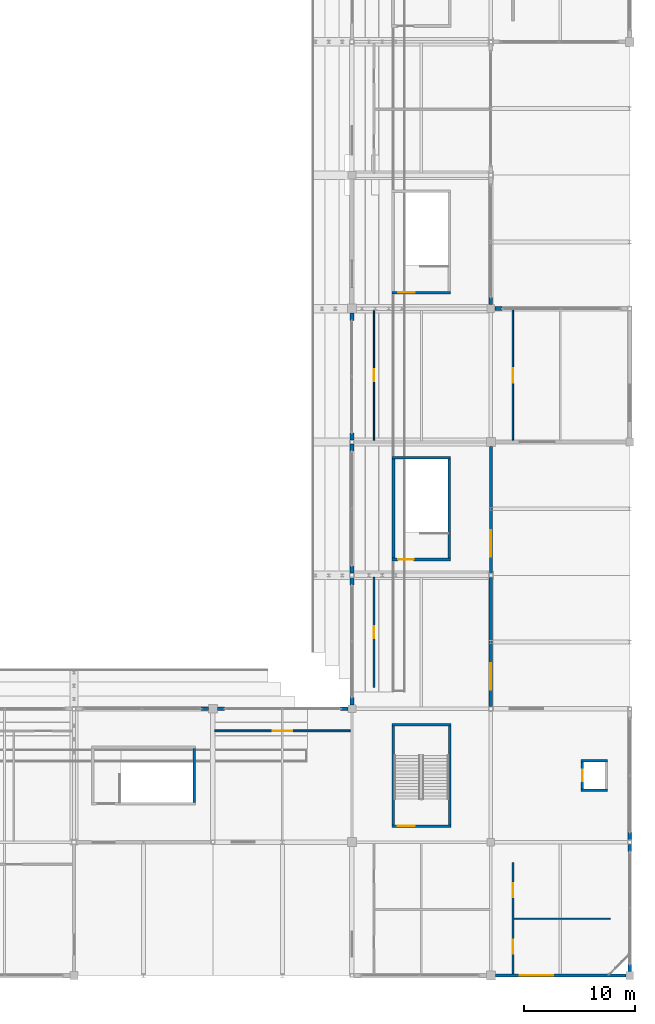
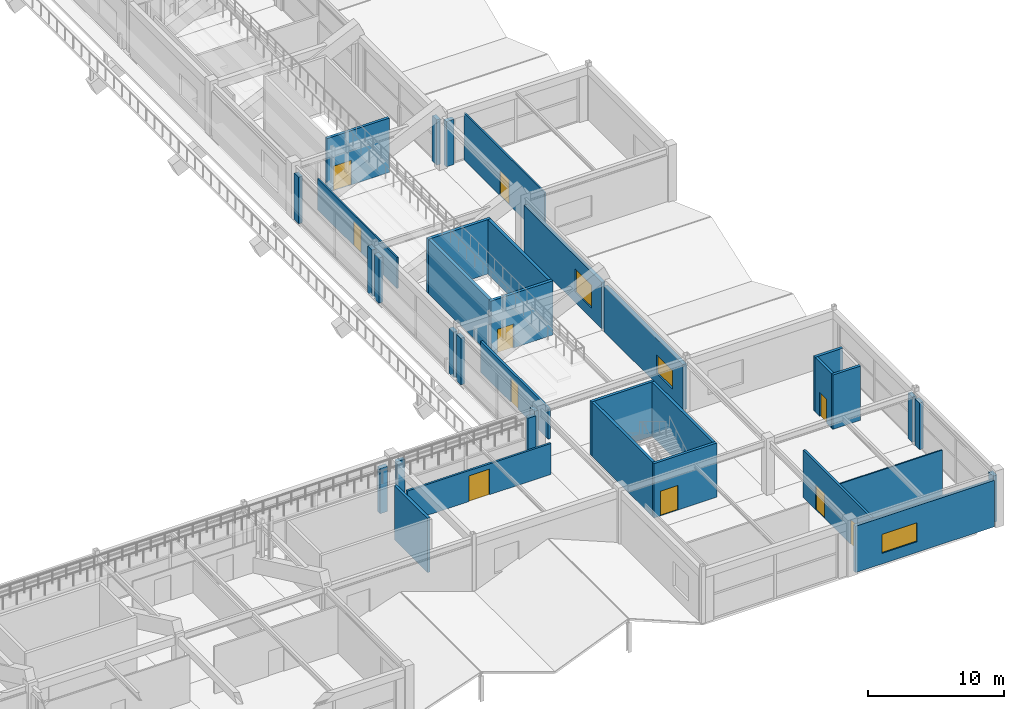
# One storey, part 92 of 128: 36 walls, 10 doors, 3 windows, 13 openings.
"""IFC4 building model written with IfcOpenShell, lengths in metres."""

from ifc_helpers import new_model, si_unit, direction, frame, frame_2d, origin, place, context, subcontext, project, spatial, rectangle, extrude, material, layer, layer_set, type_object, element, fill, save


model = new_model("IFC4")

# Units and contexts
model_context = context("Model", 3, precision=1e-05, world=origin(), true_north=direction((0.0, 1.0)))
body_context = subcontext(model_context, "Body", "Model", "MODEL_VIEW")
ifc_project = project(units=[si_unit("LENGTHUNIT", "METRE"), si_unit("AREAUNIT", "SQUARE_METRE"), si_unit("VOLUMEUNIT", "CUBIC_METRE"), si_unit("PLANEANGLEUNIT", "RADIAN"), si_unit("MASSUNIT", "GRAM", prefix="KILO")], contexts=[model_context])

# Site, building, storey
site_placement = place(None, origin())
site = spatial("IfcSite", under=ifc_project, at=site_placement, CompositionType="ELEMENT")
building_placement = place(site_placement, origin())
building = spatial("IfcBuilding", under=site, at=building_placement, Name="Kazenohara Klinker Stadium", CompositionType="ELEMENT")
storey_placement = place(building_placement, frame((0.0, 0.0, 15.300048828125)))
storey = spatial("IfcBuildingStorey", under=building, at=storey_placement, Name="L03", CompositionType="ELEMENT", Elevation=15.300048828125)

# Wall, opening, door
ifc_material_1 = material(Name="Concrete C40/50", Category="concrete")
ifc_layer_1 = layer(ifc_material_1, 0.22998046875)
ifc_layer_set_1 = layer_set([ifc_layer_1], Name="Concrete C40/50")
wall_type_1 = type_object("IfcWallType", Name="WAL-CORE-230", PredefinedType="SHEAR", material=ifc_layer_set_1)
wall_1_placement = place(storey_placement, frame((178.590087890625, 25.43505859375, 0.0), z_axis=(0.0, 0.0, 1.0), x_axis=(1.0, 0.0, 0.0)))
wall_1 = element("IfcWall", 1, at=wall_1_placement, inside=storey, type_object=wall_type_1, Name="Stairwell shear wall ST16 L03 South", PredefinedType="SHEAR", context=body_context, shape_type="SweptSolid", body=[
    extrude(rectangle(XDim=5.31982421875, YDim=0.22998046875, at=frame_2d((2.659912109375, 0.0))), origin(), (0.0, 0.0, 1.0), 4.85986328125),
])
opening_1_placement = place(wall_1_placement, frame((0.550048828125, 0.0, 0.0)))
opening_1 = element("IfcOpeningElement", 2, at=opening_1_placement, cuts=wall_1, Name="Opening SD02", PredefinedType="OPENING", context=body_context, shape_type="SweptSolid", body=[
    extrude(rectangle(XDim=1.5, YDim=2.199951171875, at=frame_2d((0.75, 1.10009765625))), frame((0.0, 0.125, 0.0), z_axis=(0.0, -1.0, 0.0), x_axis=(1.0, 0.0, 0.0)), (0.0, 0.0, 1.0), 0.25),
])
ifc_material_2 = material(Name="Flush painted steel fire door leaf", Category="steel")
door_type_1 = type_object("IfcDoorType", Name="DR-STR-1500x2200", OperationType="NOTDEFINED", PredefinedType="DOOR", material=ifc_material_2)
door_1_placement = place(opening_1_placement, origin())
door_1 = element("IfcDoor", 3, at=door_1_placement, inside=storey, type_object=door_type_1, Name="Escape stairwell fire door ST16-L03", OperationType="SINGLE_SWING_RIGHT", OverallHeight=2.199951171875, OverallWidth=1.5, PredefinedType="DOOR", context=body_context, shape_type="SweptSolid", body=[
    extrude(rectangle(XDim=1.5, YDim=2.199951171875, at=frame_2d((0.75, 1.10009765625))), frame((0.0, 0.02490234375, 0.0), z_axis=(0.0, -1.0, 0.0), x_axis=(1.0, 0.0, 0.0)), (0.0, 0.0, 1.0), 0.050048828125),
])
fill(opening_1, door_1)

# Walls
wall_2_placement = place(storey_placement, frame((178.590087890625, 34.56494140625, 0.0), z_axis=(0.0, 0.0, 1.0), x_axis=(1.0, 0.0, 0.0)))
element("IfcWall", 4, at=wall_2_placement, inside=storey, type_object=wall_type_1, Name="Stairwell shear wall ST16 L03 North", PredefinedType="SHEAR", context=body_context, shape_type="SweptSolid", body=[
    extrude(rectangle(XDim=5.31982421875, YDim=0.22998046875, at=frame_2d((2.659912109375, 0.0))), origin(), (0.0, 0.0, 1.0), 4.85986328125),
])
for number, where, z_axis, x_axis, name in (
    (5, (178.705078125, 25.550048828125, 0.0), (0.0, 0.0, 1.0), (0.0, 1.0, 0.0), "Stairwell shear wall ST16 L03 West"),
    (6, (183.794921875, 25.550048828125, 0.0), (0.0, 0.0, 1.0), (0.0, 1.0, 0.0), "Stairwell shear wall ST16 L03 East"),
):
    element("IfcWall", number, at=place(storey_placement, frame(where, z_axis=z_axis, x_axis=x_axis)), inside=storey, type_object=wall_type_1, Name=name, PredefinedType="SHEAR", context=body_context, shape_type="SweptSolid", body=[
        extrude(rectangle(XDim=8.89990234375, YDim=0.22998046875, at=frame_2d((4.449951171875, 0.0))), origin(), (0.0, 0.0, 1.0), 4.85986328125),
    ])

# Wall, opening, door
wall_3_placement = place(storey_placement, frame((178.6201171875, 73.43505859375, 0.0), z_axis=(0.0, 0.0, 1.0), x_axis=(1.0, 0.0, 0.0)))
wall_3 = element("IfcWall", 7, at=wall_3_placement, inside=storey, type_object=wall_type_1, Name="Stairwell shear wall ST22 L03 South", PredefinedType="SHEAR", context=body_context, shape_type="SweptSolid", body=[
    extrude(rectangle(XDim=5.259765625, YDim=0.22998046875, at=frame_2d((2.6298828125, 0.0))), origin(), (0.0, 0.0, 1.0), 4.85986328125),
])
opening_2_placement = place(wall_3_placement, frame((0.550048828125, 0.0, 0.0)))
opening_2 = element("IfcOpeningElement", 8, at=opening_2_placement, cuts=wall_3, Name="Opening SD02", PredefinedType="OPENING", context=body_context, shape_type="SweptSolid", body=[
    extrude(rectangle(XDim=1.5, YDim=2.199951171875, at=frame_2d((0.75, 1.10009765625))), frame((0.0, 0.125, 0.0), z_axis=(0.0, -1.0, 0.0), x_axis=(1.0, 0.0, 0.0)), (0.0, 0.0, 1.0), 0.25),
])
door_2_placement = place(opening_2_placement, origin())
door_2 = element("IfcDoor", 9, at=door_2_placement, inside=storey, type_object=door_type_1, Name="Escape stairwell fire door ST22-L03", OperationType="SINGLE_SWING_RIGHT", OverallHeight=2.199951171875, OverallWidth=1.5, PredefinedType="DOOR", context=body_context, shape_type="SweptSolid", body=[
    extrude(rectangle(XDim=1.5, YDim=2.199951171875, at=frame_2d((0.75, 1.10009765625))), frame((0.0, 0.02490234375, 0.0), z_axis=(0.0, -1.0, 0.0), x_axis=(1.0, 0.0, 0.0)), (0.0, 0.0, 1.0), 0.050048828125),
])
fill(opening_2, door_2)

# Walls
wall_4_placement = place(storey_placement, frame((160.81494140625, 27.570068359375, 0.0), z_axis=(0.0, 0.0, 1.0), x_axis=(0.0, 1.0, 0.0)))
element("IfcWall", 10, at=wall_4_placement, inside=storey, type_object=wall_type_1, Name="Stairwell shear wall ST28 L03 East", PredefinedType="SHEAR", context=body_context, shape_type="SweptSolid", body=[
    extrude(rectangle(XDim=4.85986328125, YDim=0.22998046875, at=frame_2d((2.429931640625, 0.0))), origin(), (0.0, 0.0, 1.0), 4.85986328125),
])
for number, where, z_axis, x_axis, name in (
    (11, (195.6201171875, 28.68505859375, 0.0), (0.0, 0.0, 1.0), (1.0, 0.0, 0.0), "Elevator shaft wall LP06 L03 South"),
    (12, (195.6201171875, 31.31494140625, 0.0), (0.0, 0.0, 1.0), (1.0, 0.0, 0.0), "Elevator shaft wall LP06 L03 North"),
):
    element("IfcWall", number, at=place(storey_placement, frame(where, z_axis=z_axis, x_axis=x_axis)), inside=storey, type_object=wall_type_1, Name=name, PredefinedType="SHEAR", context=body_context, shape_type="SweptSolid", body=[
        extrude(rectangle(XDim=2.35986328125, YDim=0.22998046875, at=frame_2d((1.179931640625, 0.0))), origin(), (0.0, 0.0, 1.0), 4.85986328125),
    ])

# Wall, opening, door
wall_5_placement = place(storey_placement, frame((195.735107421875, 28.800048828125, 0.0), z_axis=(0.0, 0.0, 1.0), x_axis=(0.0, 1.0, 0.0)))
wall_5 = element("IfcWall", 13, at=wall_5_placement, inside=storey, type_object=wall_type_1, Name="Elevator shaft wall LP06 L03 West", PredefinedType="SHEAR", context=body_context, shape_type="SweptSolid", body=[
    extrude(rectangle(XDim=2.39990234375, YDim=0.22998046875, at=frame_2d((1.199951171875, 0.0))), origin(), (0.0, 0.0, 1.0), 4.85986328125),
])
opening_3_placement = place(wall_5_placement, frame((0.699951171875, 0.0, 0.0)))
opening_3 = element("IfcOpeningElement", 14, at=opening_3_placement, cuts=wall_5, Name="Opening LD02", PredefinedType="OPENING", context=body_context, shape_type="SweptSolid", body=[
    extrude(rectangle(XDim=1.0, YDim=2.14990234375, at=frame_2d((0.5, 1.074951171875))), frame((0.0, 0.125, 0.0), z_axis=(0.0, -1.0, 0.0), x_axis=(1.0, 0.0, 0.0)), (0.0, 0.0, 1.0), 0.25),
])
ifc_material_3 = material(Name="Stainless steel sliding landing door", Category="steel")
door_type_2 = type_object("IfcDoorType", Name="DR-LD02-1000x2150", OperationType="NOTDEFINED", PredefinedType="DOOR", material=ifc_material_3)
door_3_placement = place(opening_3_placement, origin())
door_3 = element("IfcDoor", 15, at=door_3_placement, inside=storey, type_object=door_type_2, Name="Elevator sliding landing door LP06-L03", OperationType="DOUBLE_DOOR_SLIDING", OverallHeight=2.14990234375, OverallWidth=1.0, PredefinedType="DOOR", context=body_context, shape_type="SweptSolid", body=[
    extrude(rectangle(XDim=1.0, YDim=2.14990234375, at=frame_2d((0.5, 1.074951171875))), frame((0.0, 0.02490234375, 0.0), z_axis=(0.0, -1.0, 0.0), x_axis=(1.0, 0.0, 0.0)), (0.0, 0.0, 1.0), 0.050048828125),
])
fill(opening_3, door_3)

ifc_layer_2 = layer(ifc_material_1, 0.25)
ifc_layer_set_2 = layer_set([ifc_layer_2], Name="Concrete C40/50")
wall_type_2 = type_object("IfcWallType", Name="WAL-CORE-250", PredefinedType="SHEAR", material=ifc_layer_set_2)
wall_6_placement = place(storey_placement, frame((178.610107421875, 49.425048828125, 0.0), z_axis=(0.0, 0.0, 1.0), x_axis=(1.0, 0.0, 0.0)))
wall_6 = element("IfcWall", 16, at=wall_6_placement, inside=storey, type_object=wall_type_2, Name="Stairwell shear wall ST21 L03 South", PredefinedType="SHEAR", context=body_context, shape_type="SweptSolid", body=[
    extrude(rectangle(XDim=5.27978515625, YDim=0.25, at=frame_2d((2.639892578125, 0.0))), origin(), (0.0, 0.0, 1.0), 4.85986328125),
])
opening_4_placement = place(wall_6_placement, frame((0.550048828125, 0.0, 0.0)))
opening_4 = element("IfcOpeningElement", 17, at=opening_4_placement, cuts=wall_6, Name="Opening SD01", PredefinedType="OPENING", context=body_context, shape_type="SweptSolid", body=[
    extrude(rectangle(XDim=1.39990234375, YDim=2.14990234375, at=frame_2d((0.699951171875, 1.074951171875))), frame((0.0, 0.135009765625, 0.0), z_axis=(0.0, -1.0, 0.0), x_axis=(1.0, 0.0, 0.0)), (0.0, 0.0, 1.0), 0.27001953125),
])
door_type_3 = type_object("IfcDoorType", Name="DR-STR-1400x2150", OperationType="NOTDEFINED", PredefinedType="DOOR", material=ifc_material_2)
door_4_placement = place(opening_4_placement, origin())
door_4 = element("IfcDoor", 18, at=door_4_placement, inside=storey, type_object=door_type_3, Name="Escape stairwell fire door ST21-L03", OperationType="SINGLE_SWING_RIGHT", OverallHeight=2.14990234375, OverallWidth=1.39990234375, PredefinedType="DOOR", context=body_context, shape_type="SweptSolid", body=[
    extrude(rectangle(XDim=1.39990234375, YDim=2.14990234375, at=frame_2d((0.699951171875, 1.074951171875))), frame((0.0, 0.02490234375, 0.0), z_axis=(0.0, -1.0, 0.0), x_axis=(1.0, 0.0, 0.0)), (0.0, 0.0, 1.0), 0.050048828125),
])
fill(opening_4, door_4)

# Walls
wall_7_placement = place(storey_placement, frame((178.610107421875, 58.574951171875, 0.0), z_axis=(0.0, 0.0, 1.0), x_axis=(1.0, 0.0, 0.0)))
element("IfcWall", 19, at=wall_7_placement, inside=storey, type_object=wall_type_2, Name="Stairwell shear wall ST21 L03 North", PredefinedType="SHEAR", context=body_context, shape_type="SweptSolid", body=[
    extrude(rectangle(XDim=5.27978515625, YDim=0.25, at=frame_2d((2.639892578125, 0.0))), origin(), (0.0, 0.0, 1.0), 4.85986328125),
])
for number, where, z_axis, x_axis, name in (
    (20, (178.735107421875, 49.550048828125, 0.0), (0.0, 0.0, 1.0), (0.0, 1.0, 0.0), "Stairwell shear wall ST21 L03 West"),
    (21, (183.764892578125, 49.550048828125, 0.0), (0.0, 0.0, 1.0), (0.0, 1.0, 0.0), "Stairwell shear wall ST21 L03 East"),
):
    element("IfcWall", number, at=place(storey_placement, frame(where, z_axis=z_axis, x_axis=x_axis)), inside=storey, type_object=wall_type_2, Name=name, PredefinedType="SHEAR", context=body_context, shape_type="SweptSolid", body=[
        extrude(rectangle(XDim=8.89990234375, YDim=0.25, at=frame_2d((4.449951171875, 0.0))), origin(), (0.0, 0.0, 1.0), 4.85986328125),
    ])

# Wall, opening, window
ifc_material_4 = material(Name="Clinker brick masonry", Category="masonry")
ifc_layer_3 = layer(ifc_material_4, 0.280029296875)
ifc_layer_set_3 = layer_set([ifc_layer_3], Name="Clinker brick masonry")
wall_type_3 = type_object("IfcWallType", Name="WAL-EXT-CB280", PredefinedType="SOLIDWALL", material=ifc_layer_set_3)
wall_8_placement = place(storey_placement, frame((187.5, 48.178955078125, 0.0), z_axis=(0.0, 0.0, 1.0), x_axis=(0.0, 1.0, 0.0)))
wall_8 = element("IfcWall", 22, at=wall_8_placement, inside=storey, type_object=wall_type_3, Name="Clinker brick cavity wall EW06 L03 Y15-4", PredefinedType="SOLIDWALL", context=body_context, shape_type="SweptSolid", body=[
    extrude(rectangle(XDim=11.4169921875, YDim=0.280029296875, at=frame_2d((5.70849609375, 0.0))), origin(), (0.0, 0.0, 1.0), 4.159912109375),
])
opening_5_placement = place(wall_8_placement, frame((1.5, 0.0, 0.949951171875)))
opening_5 = element("IfcOpeningElement", 23, at=opening_5_placement, cuts=wall_8, Name="Opening W24", PredefinedType="OPENING", context=body_context, shape_type="SweptSolid", body=[
    extrude(rectangle(XDim=2.39990234375, YDim=2.050048828125, at=frame_2d((1.199951171875, 1.02490234375))), frame((0.0, 0.14990234375, 0.0), z_axis=(0.0, -1.0, 0.0), x_axis=(1.0, 0.0, 0.0)), (0.0, 0.0, 1.0), 0.300048828125),
])
ifc_material_5 = material(Name="Dark bronze aluminium frame and triple glazing", Category="aluminium")
window_type_1 = type_object("IfcWindowType", Name="WIN-AS-24", PartitioningType="SINGLE_PANEL", PredefinedType="WINDOW", material=ifc_material_5)
window_1_placement = place(opening_5_placement, origin())
window_1 = element("IfcWindow", 24, at=window_1_placement, inside=storey, type_object=window_type_1, Name="Horizontal-mullion ladder window W24 L03 Y15-4", OverallHeight=2.050048828125, OverallWidth=2.39990234375, PartitioningType="SINGLE_PANEL", PredefinedType="WINDOW", context=body_context, shape_type="SweptSolid", body=[
    extrude(rectangle(XDim=2.39990234375, YDim=2.050048828125, at=frame_2d((1.199951171875, 1.02490234375))), frame((0.0, 0.030029296875, 0.0), z_axis=(0.0, -1.0, 0.0), x_axis=(1.0, 0.0, 0.0)), (0.0, 0.0, 1.0), 0.06005859375),
])
fill(opening_5, window_1)

wall_9_placement = place(storey_placement, frame((187.904052734375, 12.0, 0.0), z_axis=(0.0, 0.0, 1.0), x_axis=(1.0, 0.0, 0.0)))
wall_9 = element("IfcWall", 25, at=wall_9_placement, inside=storey, type_object=wall_type_3, Name="Clinker brick cavity wall EW06 L03 X15-1", PredefinedType="SOLIDWALL", context=body_context, shape_type="SweptSolid", body=[
    extrude(rectangle(XDim=11.741943359375, YDim=0.280029296875, at=frame_2d((5.87109375, 0.0))), origin(), (0.0, 0.0, 1.0), 4.159912109375),
])
opening_6_placement = place(wall_9_placement, frame((2.216064453125, 0.0, 0.949951171875)))
opening_6 = element("IfcOpeningElement", 26, at=opening_6_placement, cuts=wall_9, Name="Opening W30", PredefinedType="OPENING", context=body_context, shape_type="SweptSolid", body=[
    extrude(rectangle(XDim=3.0, YDim=1.699951171875, at=frame_2d((1.5, 0.85009765625))), frame((0.0, 0.14990234375, 0.0), z_axis=(0.0, -1.0, 0.0), x_axis=(1.0, 0.0, 0.0)), (0.0, 0.0, 1.0), 0.300048828125),
])
window_type_2 = type_object("IfcWindowType", Name="WIN-AS-30", PartitioningType="SINGLE_PANEL", PredefinedType="WINDOW", material=ifc_material_5)
window_2_placement = place(opening_6_placement, origin())
window_2 = element("IfcWindow", 27, at=window_2_placement, inside=storey, type_object=window_type_2, Name="Horizontal-mullion ladder window W30 L03 X15-1", OverallHeight=1.699951171875, OverallWidth=3.0, PartitioningType="SINGLE_PANEL", PredefinedType="WINDOW", context=body_context, shape_type="SweptSolid", body=[
    extrude(rectangle(XDim=3.0, YDim=1.699951171875, at=frame_2d((1.5, 0.85009765625))), frame((0.0, 0.030029296875, 0.0), z_axis=(0.0, -1.0, 0.0), x_axis=(1.0, 0.0, 0.0)), (0.0, 0.0, 1.0), 0.06005859375),
])
fill(opening_6, window_2)

# Walls
ifc_layer_4 = layer(ifc_material_4, 0.340087890625)
ifc_layer_set_4 = layer_set([ifc_layer_4], Name="Clinker brick masonry")
wall_type_4 = type_object("IfcWallType", Name="WAL-EXT-CB340", PredefinedType="SOLIDWALL", material=ifc_layer_set_4)
wall_10_placement = place(storey_placement, frame((161.446044921875, 36.0, 0.0), z_axis=(0.0, 0.0, 1.0), x_axis=(1.0, 0.0, 0.0)))
element("IfcWall", 28, at=wall_10_placement, inside=storey, type_object=wall_type_4, Name="Clinker brick curtain-wall jamb pier L03 X12-3 B", PredefinedType="SOLIDWALL", context=body_context, shape_type="SweptSolid", body=[
    extrude(rectangle(XDim=0.64990234375, YDim=0.340087890625, at=frame_2d((0.324951171875, 0.0))), origin(), (0.0, 0.0, 1.0), 4.06005859375),
])
for number, where, z_axis, x_axis, name in (
    (29, (162.904052734375, 36.0, 0.0), (0.0, 0.0, 1.0), (1.0, 0.0, 0.0), "Clinker brick curtain-wall jamb pier L03 X13-3 A"),
    (30, (173.99609375, 36.0, 0.0), (0.0, 0.0, 1.0), (1.0, 0.0, 0.0), "Clinker brick curtain-wall jamb pier L03 X13-3 B"),
):
    element("IfcWall", number, at=place(storey_placement, frame(where, z_axis=z_axis, x_axis=x_axis)), inside=storey, type_object=wall_type_4, Name=name, PredefinedType="SOLIDWALL", context=body_context, shape_type="SweptSolid", body=[
        extrude(rectangle(XDim=0.64990234375, YDim=0.340087890625, at=frame_2d((0.324951171875, 0.0))), origin(), (0.0, 0.0, 1.0), 4.159912109375),
    ])
for number, where, z_axis, x_axis, name in (
    (31, (175.0, 36.35400390625, 0.0), (0.0, 0.0, 1.0), (0.0, 1.0, 0.0), "Clinker brick curtain-wall jamb pier L03 Y14-3 A"),
    (32, (175.0, 47.14599609375, 0.0), (0.0, 0.0, 1.0), (0.0, 1.0, 0.0), "Clinker brick curtain-wall jamb pier L03 Y14-3 B"),
):
    element("IfcWall", number, at=place(storey_placement, frame(where, z_axis=z_axis, x_axis=x_axis)), inside=storey, type_object=wall_type_4, Name=name, PredefinedType="SOLIDWALL", context=body_context, shape_type="SweptSolid", body=[
        extrude(rectangle(XDim=0.64990234375, YDim=0.340087890625, at=frame_2d((0.324951171875, 0.0))), origin(), (0.0, 0.0, 1.0), 4.171875),
    ])

# Wall, opening, window
wall_11_placement = place(storey_placement, frame((187.5, 36.2041015625, 0.0), z_axis=(0.0, 0.0, 1.0), x_axis=(0.0, 1.0, 0.0)))
wall_11 = element("IfcWall", 33, at=wall_11_placement, inside=storey, type_object=wall_type_4, Name="Clinker brick cavity wall EW04 L03 Y15-3", PredefinedType="SOLIDWALL", context=body_context, shape_type="SweptSolid", body=[
    extrude(rectangle(XDim=11.616943359375, YDim=0.340087890625, at=frame_2d((5.80859375, 0.0))), origin(), (0.0, 0.0, 1.0), 4.06005859375),
])
opening_7_placement = place(wall_11_placement, frame((1.5, 0.0, 0.949951171875)))
opening_7 = element("IfcOpeningElement", 34, at=opening_7_placement, cuts=wall_11, Name="Opening W23", PredefinedType="OPENING", context=body_context, shape_type="SweptSolid", body=[
    extrude(rectangle(XDim=2.39990234375, YDim=1.64990234375, at=frame_2d((1.199951171875, 0.824951171875))), frame((0.0, 0.18017578125, 0.0), z_axis=(0.0, -1.0, 0.0), x_axis=(1.0, 0.0, 0.0)), (0.0, 0.0, 1.0), 0.360107421875),
])
window_type_3 = type_object("IfcWindowType", Name="WIN-AS-23", PartitioningType="SINGLE_PANEL", PredefinedType="WINDOW", material=ifc_material_5)
window_3_placement = place(opening_7_placement, origin())
window_3 = element("IfcWindow", 35, at=window_3_placement, inside=storey, type_object=window_type_3, Name="Horizontal-mullion ladder window W23 L03 Y15-3", OverallHeight=1.64990234375, OverallWidth=2.39990234375, PartitioningType="SINGLE_PANEL", PredefinedType="WINDOW", context=body_context, shape_type="SweptSolid", body=[
    extrude(rectangle(XDim=2.39990234375, YDim=1.64990234375, at=frame_2d((1.199951171875, 0.824951171875))), frame((0.0, 0.030029296875, 0.0), z_axis=(0.0, -1.0, 0.0), x_axis=(1.0, 0.0, 0.0)), (0.0, 0.0, 1.0), 0.06005859375),
])
fill(opening_7, window_3)

# Walls
wall_12_placement = place(storey_placement, frame((175.0, 48.2041015625, 0.0), z_axis=(0.0, 0.0, 1.0), x_axis=(0.0, 1.0, 0.0)))
element("IfcWall", 36, at=wall_12_placement, inside=storey, type_object=wall_type_4, Name="Clinker brick curtain-wall jamb pier L03 Y14-4 A", PredefinedType="SOLIDWALL", context=body_context, shape_type="SweptSolid", body=[
    extrude(rectangle(XDim=0.64990234375, YDim=0.340087890625, at=frame_2d((0.324951171875, 0.0))), origin(), (0.0, 0.0, 1.0), 4.06005859375),
])
wall_13_placement = place(storey_placement, frame((175.0, 59.1708984375, 0.0), z_axis=(0.0, 0.0, 1.0), x_axis=(0.0, 1.0, 0.0)))
element("IfcWall", 37, at=wall_13_placement, inside=storey, type_object=wall_type_4, Name="Clinker brick curtain-wall jamb pier L03 Y14-4 B", PredefinedType="SOLIDWALL", context=body_context, shape_type="SweptSolid", body=[
    extrude(rectangle(XDim=0.650146484375, YDim=0.340087890625, at=frame_2d((0.3251953125, 0.0))), origin(), (0.0, 0.0, 1.0), 4.06005859375),
])
wall_14_placement = place(storey_placement, frame((175.0, 60.178955078125, 0.0), z_axis=(0.0, 0.0, 1.0), x_axis=(0.0, 1.0, 0.0)))
element("IfcWall", 38, at=wall_14_placement, inside=storey, type_object=wall_type_4, Name="Clinker brick curtain-wall jamb pier L03 Y14-5 A", PredefinedType="SOLIDWALL", context=body_context, shape_type="SweptSolid", body=[
    extrude(rectangle(XDim=0.650146484375, YDim=0.340087890625, at=frame_2d((0.3251953125, 0.0))), origin(), (0.0, 0.0, 1.0), 4.159912109375),
])
wall_15_placement = place(storey_placement, frame((175.0, 70.946044921875, 0.0), z_axis=(0.0, 0.0, 1.0), x_axis=(0.0, 1.0, 0.0)))
element("IfcWall", 39, at=wall_15_placement, inside=storey, type_object=wall_type_4, Name="Clinker brick curtain-wall jamb pier L03 Y14-5 B", PredefinedType="SOLIDWALL", context=body_context, shape_type="SweptSolid", body=[
    extrude(rectangle(XDim=0.64990234375, YDim=0.340087890625, at=frame_2d((0.324951171875, 0.0))), origin(), (0.0, 0.0, 1.0), 4.159912109375),
])
wall_16_placement = place(storey_placement, frame((187.5, 72.35400390625, 0.0), z_axis=(0.0, 0.0, 1.0), x_axis=(0.0, 1.0, 0.0)))
element("IfcWall", 40, at=wall_16_placement, inside=storey, type_object=wall_type_4, Name="Clinker brick curtain-wall jamb pier L03 Y15-6 A", PredefinedType="SOLIDWALL", context=body_context, shape_type="SweptSolid", body=[
    extrude(rectangle(XDim=0.64990234375, YDim=0.340087890625, at=frame_2d((0.324951171875, 0.0))), origin(), (0.0, 0.0, 1.0), 4.06005859375),
])
for number, where, z_axis, x_axis, name in (
    (41, (200.0, 12.35400390625, 0.0), (0.0, 0.0, 1.0), (0.0, 1.0, 0.0), "Clinker brick curtain-wall jamb pier L03 Y16-1 A"),
    (42, (200.0, 23.14599609375, 0.0), (0.0, 0.0, 1.0), (0.0, 1.0, 0.0), "Clinker brick curtain-wall jamb pier L03 Y16-1 B"),
):
    element("IfcWall", number, at=place(storey_placement, frame(where, z_axis=z_axis, x_axis=x_axis)), inside=storey, type_object=wall_type_4, Name=name, PredefinedType="SOLIDWALL", context=body_context, shape_type="SweptSolid", body=[
        extrude(rectangle(XDim=0.64990234375, YDim=0.340087890625, at=frame_2d((0.324951171875, 0.0))), origin(), (0.0, 0.0, 1.0), 4.171875),
    ])
for number, where, z_axis, x_axis, name in (
    (43, (200.0, 24.2041015625, 0.0), (0.0, 0.0, 1.0), (0.0, 1.0, 0.0), "Clinker brick curtain-wall jamb pier L03 Y16-2 A"),
    (44, (187.85400390625, 72.0, 0.0), (0.0, 0.0, 1.0), (1.0, 0.0, 0.0), "Clinker brick curtain-wall jamb pier L03 X15-6 A"),
):
    element("IfcWall", number, at=place(storey_placement, frame(where, z_axis=z_axis, x_axis=x_axis)), inside=storey, type_object=wall_type_4, Name=name, PredefinedType="SOLIDWALL", context=body_context, shape_type="SweptSolid", body=[
        extrude(rectangle(XDim=0.64990234375, YDim=0.340087890625, at=frame_2d((0.324951171875, 0.0))), origin(), (0.0, 0.0, 1.0), 4.06005859375),
    ])
ifc_material_6 = material(Name="Fire-rated gypsum board on acoustic studs", Category="gypsum")
ifc_layer_5 = layer(ifc_material_6, 0.110107421875)
ifc_layer_set_5 = layer_set([ifc_layer_5], Name="Fire-rated gypsum board on acoustic studs")
wall_type_5 = type_object("IfcWallType", Name="WAL-INT-P110", PredefinedType="PARTITIONING", material=ifc_layer_set_5)
wall_17_placement = place(storey_placement, frame((189.590087890625, 17.10498046875, 0.0), z_axis=(0.0, 0.0, 1.0), x_axis=(1.0, 0.0, 0.0)))
element("IfcWall", 45, at=wall_17_placement, inside=storey, type_object=wall_type_5, Name="Interior partition wall PT01 SPC-L03-15-01-1-2", PredefinedType="PARTITIONING", context=body_context, shape_type="SweptSolid", body=[
    extrude(rectangle(XDim=8.659912109375, YDim=0.110107421875, at=frame_2d((4.330078125, 0.0))), origin(), (0.0, 0.0, 1.0), 4.219970703125),
])

# Wall, opening, door
ifc_layer_6 = layer(ifc_material_6, 0.1201171875)
ifc_layer_set_6 = layer_set([ifc_layer_6], Name="Fire-rated gypsum board on acoustic studs")
wall_type_6 = type_object("IfcWallType", Name="WAL-INT-P120", PredefinedType="PARTITIONING", material=ifc_layer_set_6)
wall_18_placement = place(storey_placement, frame((176.989990234375, 60.159912109375, 0.0), z_axis=(0.0, 0.0, 1.0), x_axis=(0.0, 1.0, 0.0)))
wall_18 = element("IfcWall", 46, at=wall_18_placement, inside=storey, type_object=wall_type_6, Name="Interior partition wall PT02 SPC-L03-14-05-1-1", PredefinedType="PARTITIONING", context=body_context, shape_type="SweptSolid", body=[
    extrude(rectangle(XDim=11.68017578125, YDim=0.1201171875, at=frame_2d((5.840087890625, 0.0))), origin(), (0.0, 0.0, 1.0), 2.77001953125),
])
opening_8_placement = place(wall_18_placement, frame((6.385009765625, 0.0, 0.0), z_axis=(0.0, 0.0, 1.0), x_axis=(-1.0, 0.0, 0.0)))
opening_8 = element("IfcOpeningElement", 47, at=opening_8_placement, cuts=wall_18, Name="Opening ID08", PredefinedType="OPENING", context=body_context, shape_type="SweptSolid", body=[
    extrude(rectangle(XDim=1.090087890625, YDim=2.159912109375, at=frame_2d((0.544921875, 1.080078125))), frame((0.0, 0.070068359375, 0.0), z_axis=(0.0, -1.0, 0.0), x_axis=(1.0, 0.0, 0.0)), (0.0, 0.0, 1.0), 0.14013671875),
])
ifc_material_7 = material(Name="Solid-core Hokkaido oak fire door", Category="wood")
door_type_4 = type_object("IfcDoorType", Name="DR-INT-08", OperationType="NOTDEFINED", PredefinedType="DOOR", material=ifc_material_7)
door_5_placement = place(opening_8_placement, origin())
door_5 = element("IfcDoor", 48, at=door_5_placement, inside=storey, type_object=door_type_4, Name="Interior door ID08 Upper Stand First-Aid Medical Clinic L03-1405A", OperationType="SINGLE_SWING_LEFT", OverallHeight=2.159912109375, OverallWidth=1.090087890625, PredefinedType="DOOR", context=body_context, shape_type="SweptSolid", body=[
    extrude(rectangle(XDim=1.090087890625, YDim=2.159912109375, at=frame_2d((0.544921875, 1.080078125))), frame((0.0, 0.02490234375, 0.0), z_axis=(0.0, -1.0, 0.0), x_axis=(1.0, 0.0, 0.0)), (0.0, 0.0, 1.0), 0.050048828125),
])
fill(opening_8, door_5)

ifc_layer_7 = layer(ifc_material_6, 0.139892578125)
ifc_layer_set_7 = layer_set([ifc_layer_7], Name="Fire-rated gypsum board on acoustic studs")
wall_type_7 = type_object("IfcWallType", Name="WAL-INT-P140", PredefinedType="PARTITIONING", material=ifc_layer_set_7)
wall_19_placement = place(storey_placement, frame((189.489990234375, 60.172119140625, 0.0), z_axis=(0.0, 0.0, 1.0), x_axis=(0.0, 1.0, 0.0)))
wall_19 = element("IfcWall", 49, at=wall_19_placement, inside=storey, type_object=wall_type_7, Name="Interior partition wall PT03 SPC-L03-15-05-1-1", PredefinedType="PARTITIONING", context=body_context, shape_type="SweptSolid", body=[
    extrude(rectangle(XDim=11.803955078125, YDim=0.139892578125, at=frame_2d((5.90185546875, 0.0))), origin(), (0.0, 0.0, 1.0), 4.219970703125),
])
opening_9_placement = place(wall_19_placement, frame((6.47802734375, 0.0, 0.0), z_axis=(0.0, 0.0, 1.0), x_axis=(-1.0, 0.0, 0.0)))
opening_9 = element("IfcOpeningElement", 50, at=opening_9_placement, cuts=wall_19, Name="Opening ID15", PredefinedType="OPENING", context=body_context, shape_type="SweptSolid", body=[
    extrude(rectangle(XDim=1.300048828125, YDim=2.239990234375, at=frame_2d((0.64990234375, 1.1201171875))), frame((0.0, 0.080078125, 0.0), z_axis=(0.0, -1.0, 0.0), x_axis=(1.0, 0.0, 0.0)), (0.0, 0.0, 1.0), 0.159912109375),
])
door_type_5 = type_object("IfcDoorType", Name="DR-INT-15", OperationType="NOTDEFINED", PredefinedType="DOOR", material=ifc_material_7)
door_6_placement = place(opening_9_placement, origin())
door_6 = element("IfcDoor", 51, at=door_6_placement, inside=storey, type_object=door_type_5, Name="Interior door ID15 Crowd Safety Monitoring Control Studio L03-1505A", OperationType="SINGLE_SWING_RIGHT", OverallHeight=2.239990234375, OverallWidth=1.300048828125, PredefinedType="DOOR", context=body_context, shape_type="SweptSolid", body=[
    extrude(rectangle(XDim=1.300048828125, YDim=2.239990234375, at=frame_2d((0.64990234375, 1.1201171875))), frame((0.0, 0.02490234375, 0.0), z_axis=(0.0, -1.0, 0.0), x_axis=(1.0, 0.0, 0.0)), (0.0, 0.0, 1.0), 0.050048828125),
])
fill(opening_9, door_6)

ifc_layer_8 = layer(ifc_material_6, 0.169921875)
ifc_layer_set_8 = layer_set([ifc_layer_8], Name="Fire-rated gypsum board on acoustic studs")
wall_type_8 = type_object("IfcWallType", Name="WAL-INT-P170", PredefinedType="PARTITIONING", material=ifc_layer_set_8)
wall_20_placement = place(storey_placement, frame((162.659912109375, 34.010009765625, 0.0), z_axis=(0.0, 0.0, 1.0), x_axis=(1.0, 0.0, 0.0)))
wall_20 = element("IfcWall", 52, at=wall_20_placement, inside=storey, type_object=wall_type_8, Name="Interior partition wall PT05 SPC-L03-13-02-1-1", PredefinedType="PARTITIONING", context=body_context, shape_type="SweptSolid", body=[
    extrude(rectangle(XDim=12.18017578125, YDim=0.169921875, at=frame_2d((6.090087890625, 0.0))), origin(), (0.0, 0.0, 1.0), 2.77001953125),
])
opening_10_placement = place(wall_20_placement, frame((6.969970703125, 0.0, 0.0), z_axis=(0.0, 0.0, 1.0), x_axis=(-1.0, 0.0, 0.0)))
opening_10 = element("IfcOpeningElement", 53, at=opening_10_placement, cuts=wall_20, Name="Opening ID26", PredefinedType="OPENING", context=body_context, shape_type="SweptSolid", body=[
    extrude(rectangle(XDim=1.760009765625, YDim=2.300048828125, at=frame_2d((0.8798828125, 1.14990234375))), frame((0.0, 0.094970703125, 0.0), z_axis=(0.0, -1.0, 0.0), x_axis=(1.0, 0.0, 0.0)), (0.0, 0.0, 1.0), 0.18994140625),
])
ifc_material_8 = material(Name="Painted steel plant fire door", Category="steel")
door_type_6 = type_object("IfcDoorType", Name="DR-INT-26", OperationType="NOTDEFINED", PredefinedType="DOOR", material=ifc_material_8)
door_7_placement = place(opening_10_placement, origin())
door_7 = element("IfcDoor", 54, at=door_7_placement, inside=storey, type_object=door_type_6, Name="Interior door ID26 Concourse Cold-Climate Hospitality Lounge L03-1302A", OperationType="SINGLE_SWING_LEFT", OverallHeight=2.300048828125, OverallWidth=1.760009765625, PredefinedType="DOOR", context=body_context, shape_type="SweptSolid", body=[
    extrude(rectangle(XDim=1.760009765625, YDim=2.300048828125, at=frame_2d((0.8798828125, 1.14990234375))), frame((0.0, 0.02490234375, 0.0), z_axis=(0.0, -1.0, 0.0), x_axis=(1.0, 0.0, 0.0)), (0.0, 0.0, 1.0), 0.050048828125),
])
fill(opening_10, door_7)

ifc_layer_9 = layer(ifc_material_6, 0.18994140625)
ifc_layer_set_9 = layer_set([ifc_layer_9], Name="Fire-rated gypsum board on acoustic studs")
wall_type_9 = type_object("IfcWallType", Name="WAL-INT-P190", PredefinedType="PARTITIONING", material=ifc_layer_set_9)
wall_21_placement = place(storey_placement, frame((176.989990234375, 37.919921875, 0.0), z_axis=(0.0, 0.0, 1.0), x_axis=(0.0, 1.0, 0.0)))
wall_21 = element("IfcWall", 55, at=wall_21_placement, inside=storey, type_object=wall_type_9, Name="Interior partition wall PT06 SPC-L03-14-03-1-1", PredefinedType="PARTITIONING", context=body_context, shape_type="SweptSolid", body=[
    extrude(rectangle(XDim=9.920166015625, YDim=0.18994140625, at=frame_2d((4.9599609375, 0.0))), origin(), (0.0, 0.0, 1.0), 2.77001953125),
])
opening_11_placement = place(wall_21_placement, frame((5.489990234375, 0.0, 0.0), z_axis=(0.0, 0.0, 1.0), x_axis=(-1.0, 0.0, 0.0)))
opening_11 = element("IfcOpeningElement", 56, at=opening_11_placement, cuts=wall_21, Name="Opening ID07", PredefinedType="OPENING", context=body_context, shape_type="SweptSolid", body=[
    extrude(rectangle(XDim=1.06005859375, YDim=2.14990234375, at=frame_2d((0.530029296875, 1.074951171875))), frame((0.0, 0.10498046875, 0.0), z_axis=(0.0, -1.0, 0.0), x_axis=(1.0, 0.0, 0.0)), (0.0, 0.0, 1.0), 0.2099609375),
])
door_type_7 = type_object("IfcDoorType", Name="DR-INT-07", OperationType="NOTDEFINED", PredefinedType="DOOR", material=ifc_material_7)
door_8_placement = place(opening_11_placement, origin())
door_8 = element("IfcDoor", 57, at=door_8_placement, inside=storey, type_object=door_type_7, Name="Interior door ID07 Upper Concourse Supporter Dining Pavilion L03-1403A", OperationType="SINGLE_SWING_RIGHT", OverallHeight=2.14990234375, OverallWidth=1.06005859375, PredefinedType="DOOR", context=body_context, shape_type="SweptSolid", body=[
    extrude(rectangle(XDim=1.06005859375, YDim=2.14990234375, at=frame_2d((0.530029296875, 1.074951171875))), frame((0.0, 0.02490234375, 0.0), z_axis=(0.0, -1.0, 0.0), x_axis=(1.0, 0.0, 0.0)), (0.0, 0.0, 1.0), 0.050048828125),
])
fill(opening_11, door_8)

# Wall, openings, doors
wall_22_placement = place(storey_placement, frame((189.489990234375, 12.14208984375, 0.0), z_axis=(0.0, 0.0, 1.0), x_axis=(0.0, 1.0, 0.0)))
wall_22 = element("IfcWall", 58, at=wall_22_placement, inside=storey, type_object=wall_type_9, Name="Interior partition wall PT06 SPC-L03-15-01-1-1", PredefinedType="PARTITIONING", context=body_context, shape_type="SweptSolid", body=[
    extrude(rectangle(XDim=10.0078125, YDim=0.18994140625, at=frame_2d((5.00390625, 0.0))), origin(), (0.0, 0.0, 1.0), 4.219970703125),
])
opening_12_placement = place(wall_22_placement, frame((3.070556640625, 0.0, 0.0), z_axis=(0.0, 0.0, 1.0), x_axis=(-1.0, 0.0, 0.0)))
opening_12 = element("IfcOpeningElement", 59, at=opening_12_placement, cuts=wall_22, Name="Opening ID13", PredefinedType="OPENING", context=body_context, shape_type="SweptSolid", body=[
    extrude(rectangle(XDim=1.239990234375, YDim=2.219970703125, at=frame_2d((0.6201171875, 1.10986328125))), frame((0.0, 0.10498046875, 0.0), z_axis=(0.0, -1.0, 0.0), x_axis=(1.0, 0.0, 0.0)), (0.0, 0.0, 1.0), 0.2099609375),
])
opening_13_placement = place(wall_22_placement, frame((8.160400390625, 0.0, 0.0), z_axis=(0.0, 0.0, 1.0), x_axis=(-1.0, 0.0, 0.0)))
opening_13 = element("IfcOpeningElement", 60, at=opening_13_placement, cuts=wall_22, Name="Opening ID14", PredefinedType="OPENING", context=body_context, shape_type="SweptSolid", body=[
    extrude(rectangle(XDim=1.27001953125, YDim=2.199951171875, at=frame_2d((0.635009765625, 1.10009765625))), frame((0.0, 0.10498046875, 0.0), z_axis=(0.0, -1.0, 0.0), x_axis=(1.0, 0.0, 0.0)), (0.0, 0.0, 1.0), 0.2099609375),
])
door_type_8 = type_object("IfcDoorType", Name="DR-INT-13", OperationType="NOTDEFINED", PredefinedType="DOOR", material=ifc_material_7)
door_9_placement = place(opening_12_placement, origin())
door_9 = element("IfcDoor", 61, at=door_9_placement, inside=storey, type_object=door_type_8, Name="Interior door ID13 Upper Concourse Hot Beverage Bistro L03-1501A", OperationType="SINGLE_SWING_RIGHT", OverallHeight=2.219970703125, OverallWidth=1.239990234375, PredefinedType="DOOR", context=body_context, shape_type="SweptSolid", body=[
    extrude(rectangle(XDim=1.239990234375, YDim=2.219970703125, at=frame_2d((0.6201171875, 1.10986328125))), frame((0.0, 0.02490234375, 0.0), z_axis=(0.0, -1.0, 0.0), x_axis=(1.0, 0.0, 0.0)), (0.0, 0.0, 1.0), 0.050048828125),
])
fill(opening_12, door_9)
door_type_9 = type_object("IfcDoorType", Name="DR-INT-14", OperationType="NOTDEFINED", PredefinedType="DOOR", material=ifc_material_7)
door_10_placement = place(opening_13_placement, origin())
door_10 = element("IfcDoor", 62, at=door_10_placement, inside=storey, type_object=door_type_9, Name="Interior door ID14 Upper Stand First-Aid Medical Clinic L03-1501B", OperationType="SINGLE_SWING_LEFT", OverallHeight=2.199951171875, OverallWidth=1.27001953125, PredefinedType="DOOR", context=body_context, shape_type="SweptSolid", body=[
    extrude(rectangle(XDim=1.27001953125, YDim=2.199951171875, at=frame_2d((0.635009765625, 1.10009765625))), frame((0.0, 0.02490234375, 0.0), z_axis=(0.0, -1.0, 0.0), x_axis=(1.0, 0.0, 0.0)), (0.0, 0.0, 1.0), 0.050048828125),
])
fill(opening_13, door_10)

save(model, "model.ifc")
